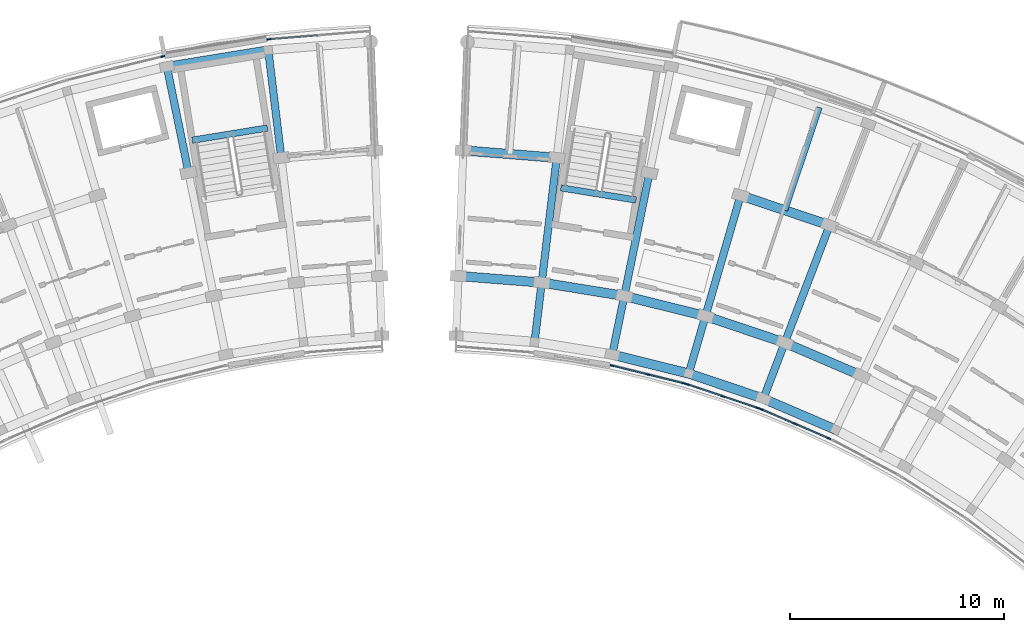
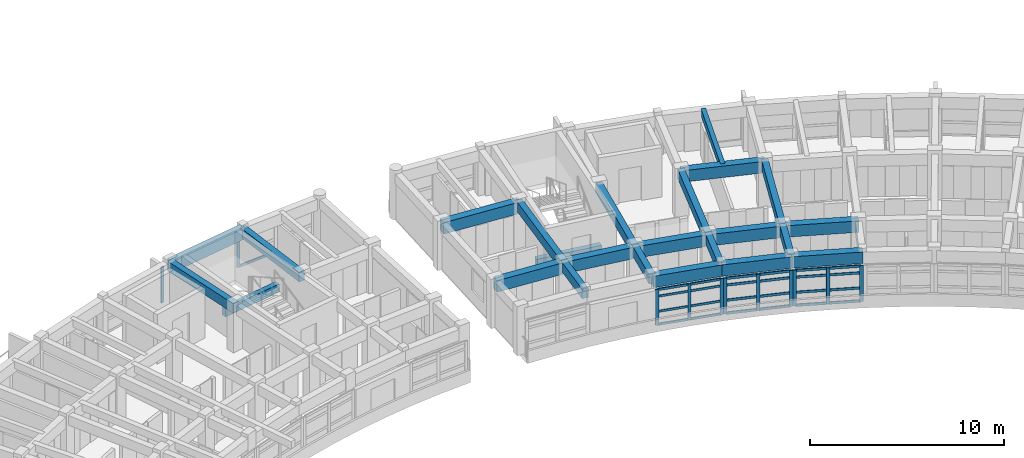
# One storey, part 12 of 50: 36 members, 24 beams, 5 elements without a shape of their own.
"""IFC4 building model written with IfcOpenShell, lengths in metres."""

from ifc_helpers import new_model, si_unit, direction, frame, origin, origin_2d, place, context, subcontext, project, spatial, rectangle, extrude, material, material_profile, profile_set, type_object, element, aggregate, save


model = new_model("IFC4")

# Units and contexts
model_context = context("Model", 3, precision=1e-05, world=origin(), true_north=direction((0.0, 1.0)))
body_context = subcontext(model_context, "Body", "Model", "MODEL_VIEW")
ifc_project = project(units=[si_unit("LENGTHUNIT", "METRE"), si_unit("AREAUNIT", "SQUARE_METRE"), si_unit("VOLUMEUNIT", "CUBIC_METRE"), si_unit("PLANEANGLEUNIT", "RADIAN"), si_unit("MASSUNIT", "GRAM", prefix="KILO")], contexts=[model_context])

# Site, building, storey
site_placement = place(None, origin())
site = spatial("IfcSite", under=ifc_project, at=site_placement, CompositionType="ELEMENT")
building_placement = place(site_placement, origin())
building = spatial("IfcBuilding", under=site, at=building_placement, Name="Zimvara Arc Housing Community", CompositionType="ELEMENT")
storey_placement = place(building_placement, frame((0.0, 0.0, 26.699951171875)))
storey = spatial("IfcBuildingStorey", under=building, at=storey_placement, Name="L08", CompositionType="ELEMENT", Elevation=26.699951171875)

# Beams
ifc_material_1 = material(Name="Concrete C40/50", Category="concrete")
ifc_material_profile_1 = material_profile(ifc_material_1, rectangle(XDim=0.25, YDim=0.449951171875, at=origin_2d()), Name="RC 250x450")
ifc_profile_set_1 = profile_set([ifc_material_profile_1], Name="Concrete C40/50")
beam_type_1 = type_object("IfcBeamType", Name="BM-RC-250x450", PredefinedType="JOIST", material=ifc_profile_set_1)
beam_1_placement = place(storey_placement, frame((62.1279296875, 95.453369140625, 2.655029296875), z_axis=(0.318607669836, 0.947886677152, 0.0), x_axis=(-0.947886677152, 0.318607669836, 0.0)))
element("IfcBeam", 1, at=beam_1_placement, inside=storey, type_object=beam_type_1, Name="bm:blkB:L08:joist:b3", PredefinedType="JOIST", context=body_context, shape_type="SweptSolid", body=[
    extrude(rectangle(XDim=0.25, YDim=0.449951171875, at=origin_2d()), origin(), (0.0, 0.0, 1.0), 5.07568359375),
])
ifc_material_2 = material(Name="Concrete C40/50", Category="concrete")
ifc_material_profile_2 = material_profile(ifc_material_2, rectangle(XDim=0.300048828125, YDim=0.5, at=origin_2d()), Name="RC 300x500")
ifc_profile_set_2 = profile_set([ifc_material_profile_2], Name="Concrete C40/50")
beam_type_2 = type_object("IfcBeamType", Name="BM-RC-300x500", PredefinedType="BEAM", material=ifc_profile_set_2)
for number, where, z_axis, x_axis, name in (
    (2, (37.911865234375, 99.307373046875, 1.300048828125), (-0.987080057935, -0.160227835371, 0.0), (0.160227835371, -0.987080057935, 0.0), "bm:stair_trim:ST-A2:L08:mid"),
    (3, (55.15771484375, 95.93701171875, -0.25), (-0.987080057935, 0.160227835371, 0.0), (-0.160227835371, -0.987080057935, 0.0), "bm:stair_trim:ST-B1:L08:near"),
):
    element("IfcBeam", number, at=place(storey_placement, frame(where, z_axis=z_axis, x_axis=x_axis)), inside=storey, type_object=beam_type_2, Name=name, PredefinedType="BEAM", context=body_context, shape_type="SweptSolid", body=[
        extrude(rectangle(XDim=0.300048828125, YDim=0.5, at=origin_2d()), origin(), (0.0, 0.0, 1.0), 3.570068359375),
    ])
ifc_material_3 = material(Name="Concrete C40/50", Category="concrete")
ifc_material_profile_3 = material_profile(ifc_material_3, rectangle(XDim=0.35009765625, YDim=0.60009765625, at=origin_2d()), Name="RC 350x600")
ifc_profile_set_3 = profile_set([ifc_material_profile_3], Name="Concrete C40/50")
beam_type_3 = type_object("IfcBeamType", Name="BM-RC-350x600", PredefinedType="BEAM", material=ifc_profile_set_3)
beam_2_placement = place(storey_placement, frame((34.21875, 97.208740234375, 2.580078125), z_axis=(-0.200411962389, 0.97971171542, 0.0), x_axis=(-0.97971171542, -0.200411962389, 0.0)))
element("IfcBeam", 4, at=beam_2_placement, inside=storey, type_object=beam_type_3, Name="bm:blkA:L08:rad:b8:r23", PredefinedType="BEAM", context=body_context, shape_type="SweptSolid", body=[
    extrude(rectangle(XDim=0.35009765625, YDim=0.60009765625, at=origin_2d()), origin(), (0.0, 0.0, 1.0), 5.079833984375),
])
beam_3_placement = place(storey_placement, frame((38.55517578125, 97.91259765625, 2.580078125), z_axis=(-0.119762990499, 0.99280251113, 0.0), x_axis=(-0.99280251113, -0.119762990499, 0.0)))
element("IfcBeam", 5, at=beam_3_placement, inside=storey, type_object=beam_type_3, Name="bm:blkA:L08:rad:b9:r23", PredefinedType="BEAM", context=body_context, shape_type="SweptSolid", body=[
    extrude(rectangle(XDim=0.35009765625, YDim=0.60009765625, at=origin_2d()), origin(), (0.0, 0.0, 1.0), 5.080078125),
])
beam_4_placement = place(storey_placement, frame((50.405029296875, 89.295166015625, 2.580078125), z_axis=(0.119719398078, 0.992807768767, 0.0), x_axis=(-0.992807768767, 0.119719398078, 0.0)))
element("IfcBeam", 6, at=beam_4_placement, inside=storey, type_object=beam_type_3, Name="bm:blkB:L08:rad:b1:r01", PredefinedType="BEAM", context=body_context, shape_type="SweptSolid", body=[
    extrude(rectangle(XDim=0.35009765625, YDim=0.60009765625, at=origin_2d()), origin(), (0.0, 0.0, 1.0), 2.7998046875),
])
beam_5_placement = place(storey_placement, frame((50.740234375, 92.074951171875, 2.580078125), z_axis=(0.119827921695, 0.992794676246, 0.0), x_axis=(-0.992794676246, 0.119827921695, 0.0)))
element("IfcBeam", 7, at=beam_5_placement, inside=storey, type_object=beam_type_3, Name="bm:blkB:L08:rad:b1:r12", PredefinedType="BEAM", context=body_context, shape_type="SweptSolid", body=[
    extrude(rectangle(XDim=0.35009765625, YDim=0.60009765625, at=origin_2d()), origin(), (0.0, 0.0, 1.0), 5.880126953125),
])
beam_6_placement = place(storey_placement, frame((54.041748046875, 88.704833984375, 2.580078125), z_axis=(0.20037341071, 0.979719600845, 0.0), x_axis=(-0.979719600845, 0.20037341071, 0.0)))
element("IfcBeam", 8, at=beam_6_placement, inside=storey, type_object=beam_type_3, Name="bm:blkB:L08:rad:b2:r01", PredefinedType="BEAM", context=body_context, shape_type="SweptSolid", body=[
    extrude(rectangle(XDim=0.35009765625, YDim=0.60009765625, at=origin_2d()), origin(), (0.0, 0.0, 1.0), 2.800048828125),
])
beam_7_placement = place(storey_placement, frame((54.602783203125, 91.447998046875, 2.580078125), z_axis=(0.200417973989, 0.979710485655, 0.0), x_axis=(-0.979710485655, 0.200417973989, 0.0)))
element("IfcBeam", 9, at=beam_7_placement, inside=storey, type_object=beam_type_3, Name="bm:blkB:L08:rad:b2:r12", PredefinedType="BEAM", context=body_context, shape_type="SweptSolid", body=[
    extrude(rectangle(XDim=0.35009765625, YDim=0.60009765625, at=origin_2d()), origin(), (0.0, 0.0, 1.0), 5.880126953125),
])
beam_8_placement = place(storey_placement, frame((57.618408203125, 87.819580078125, 2.580078125), z_axis=(0.279635015525, 0.960106378529, 0.0), x_axis=(-0.960106378529, 0.279635015525, 0.0)))
element("IfcBeam", 10, at=beam_8_placement, inside=storey, type_object=beam_type_3, Name="bm:blkB:L08:rad:b3:r01", PredefinedType="BEAM", context=body_context, shape_type="SweptSolid", body=[
    extrude(rectangle(XDim=0.35009765625, YDim=0.60009765625, at=origin_2d()), origin(), (0.0, 0.0, 1.0), 2.800048828125),
])
beam_9_placement = place(storey_placement, frame((58.4013671875, 90.5078125, 2.580078125), z_axis=(0.27967473749, 0.960094808449, 0.0), x_axis=(-0.960094808449, 0.27967473749, 0.0)))
element("IfcBeam", 11, at=beam_9_placement, inside=storey, type_object=beam_type_3, Name="bm:blkB:L08:rad:b3:r12", PredefinedType="BEAM", context=body_context, shape_type="SweptSolid", body=[
    extrude(rectangle(XDim=0.35009765625, YDim=0.60009765625, at=origin_2d()), origin(), (0.0, 0.0, 1.0), 5.880126953125),
])
beam_10_placement = place(storey_placement, frame((61.11083984375, 86.645751953125, 2.580078125), z_axis=(0.357079289134, 0.934074076972, 0.0), x_axis=(-0.934074076972, 0.357079289134, 0.0)))
element("IfcBeam", 12, at=beam_10_placement, inside=storey, type_object=beam_type_3, Name="bm:blkB:L08:rad:b4:r01", PredefinedType="BEAM", context=body_context, shape_type="SweptSolid", body=[
    extrude(rectangle(XDim=0.35009765625, YDim=0.60009765625, at=origin_2d()), origin(), (0.0, 0.0, 1.0), 2.7998046875),
])
beam_11_placement = place(storey_placement, frame((62.110595703125, 89.260986328125, 2.580078125), z_axis=(0.357036247742, 0.934090529766, 0.0), x_axis=(-0.934090529766, 0.357036247742, 0.0)))
element("IfcBeam", 13, at=beam_11_placement, inside=storey, type_object=beam_type_3, Name="bm:blkB:L08:rad:b4:r12", PredefinedType="BEAM", context=body_context, shape_type="SweptSolid", body=[
    extrude(rectangle(XDim=0.35009765625, YDim=0.60009765625, at=origin_2d()), origin(), (0.0, 0.0, 1.0), 5.8798828125),
])
ifc_material_4 = material(Name="Concrete C40/50", Category="concrete")
ifc_material_profile_4 = material_profile(ifc_material_4, rectangle(XDim=0.39990234375, YDim=0.699951171875, at=origin_2d()), Name="RC 400x700")
ifc_profile_set_4 = profile_set([ifc_material_profile_4], Name="Concrete C40/50")
beam_type_4 = type_object("IfcBeamType", Name="BM-RC-400x700", PredefinedType="BEAM", material=ifc_profile_set_4)
beam_12_placement = place(storey_placement, frame((33.20068359375, 102.185546875, 2.530029296875), z_axis=(0.987076839731, 0.160247659784, 0.0), x_axis=(-0.160247659784, 0.987076839731, 0.0)))
element("IfcBeam", 14, at=beam_12_placement, inside=storey, type_object=beam_type_4, Name="bm:blkA:L08:chord:r3:b8", PredefinedType="BEAM", context=body_context, shape_type="SweptSolid", body=[
    extrude(rectangle(XDim=0.39990234375, YDim=0.699951171875, at=origin_2d()), origin(), (0.0, 0.0, 1.0), 4.808349609375),
])
ifc_material_5 = material(Name="Concrete C40/50", Category="concrete")
ifc_material_profile_5 = material_profile(ifc_material_5, rectangle(XDim=0.43994140625, YDim=0.719970703125, at=origin_2d()), Name="RC 440x720")
ifc_profile_set_5 = profile_set([ifc_material_profile_5], Name="Concrete C40/50")
beam_type_5 = type_object("IfcBeamType", Name="BM-RC-440x720", PredefinedType="BEAM", material=ifc_profile_set_5)
beam_13_placement = place(storey_placement, frame((54.041748046875, 88.704833984375, 2.52001953125), z_axis=(0.970708886215, -0.240258731837, 0.0), x_axis=(0.240258731837, 0.970708886215, 0.0)))
element("IfcBeam", 15, at=beam_13_placement, inside=storey, type_object=beam_type_5, Name="bm:blkB:L08:chord:r0:b2", PredefinedType="BEAM", context=body_context, shape_type="SweptSolid", body=[
    extrude(rectangle(XDim=0.43994140625, YDim=0.719970703125, at=origin_2d()), origin(), (0.0, 0.0, 1.0), 3.6845703125),
])
for number, where, z_axis, x_axis, name in (
    (16, (57.618408203125, 87.819580078125, 2.52001953125), (0.94789181932, -0.31859237101, 0.0), (0.31859237101, 0.94789181932, 0.0), "bm:blkB:L08:chord:r0:b3"),
    (17, (61.11083984375, 86.645751953125, 2.52001953125), (0.918705736243, -0.394942742932, 0.0), (0.394942742932, 0.918705736243, 0.0), "bm:blkB:L08:chord:r0:b4"),
):
    element("IfcBeam", number, at=place(storey_placement, frame(where, z_axis=z_axis, x_axis=x_axis)), inside=storey, type_object=beam_type_5, Name=name, PredefinedType="BEAM", context=body_context, shape_type="SweptSolid", body=[
        extrude(rectangle(XDim=0.43994140625, YDim=0.719970703125, at=origin_2d()), origin(), (0.0, 0.0, 1.0), 3.684326171875),
    ])
beam_14_placement = place(storey_placement, frame((46.839599609375, 92.384765625, 2.52001953125), z_axis=(0.99686054795, -0.079177319606, 0.0), x_axis=(0.079177319606, 0.99686054795, 0.0)))
element("IfcBeam", 18, at=beam_14_placement, inside=storey, type_object=beam_type_5, Name="bm:blkB:L08:chord:r1:b0", PredefinedType="BEAM", context=body_context, shape_type="SweptSolid", body=[
    extrude(rectangle(XDim=0.43994140625, YDim=0.719970703125, at=origin_2d()), origin(), (0.0, 0.0, 1.0), 3.912841796875),
])
for number, where, z_axis, x_axis, name in (
    (19, (50.740234375, 92.074951171875, 2.52001953125), (0.987081487371, -0.160219029111, 0.0), (0.160219029111, 0.987081487371, 0.0), "bm:blkB:L08:chord:r1:b1"),
    (20, (54.602783203125, 91.447998046875, 2.52001953125), (0.970708671682, -0.240259598602, 0.0), (0.240259598602, 0.970708671682, 0.0), "bm:blkB:L08:chord:r1:b2"),
    (21, (58.4013671875, 90.5078125, 2.52001953125), (0.947881689069, -0.31862250945, 0.0), (0.31862250945, 0.947881689069, 0.0), "bm:blkB:L08:chord:r1:b3"),
    (22, (62.110595703125, 89.260986328125, 2.52001953125), (0.91873144242, -0.394882940514, 0.0), (0.394882940514, 0.91873144242, 0.0), "bm:blkB:L08:chord:r1:b4"),
):
    element("IfcBeam", number, at=place(storey_placement, frame(where, z_axis=z_axis, x_axis=x_axis)), inside=storey, type_object=beam_type_5, Name=name, PredefinedType="BEAM", context=body_context, shape_type="SweptSolid", body=[
        extrude(rectangle(XDim=0.43994140625, YDim=0.719970703125, at=origin_2d()), origin(), (0.0, 0.0, 1.0), 3.9130859375),
    ])
beam_15_placement = place(storey_placement, frame((47.065185546875, 98.26025390625, 2.52001953125), z_axis=(0.996864209836, -0.079131202119, 0.0), x_axis=(0.079131202119, 0.996864209836, 0.0)))
element("IfcBeam", 23, at=beam_15_placement, inside=storey, type_object=beam_type_5, Name="bm:blkB:L08:chord:r2:b0", PredefinedType="BEAM", context=body_context, shape_type="SweptSolid", body=[
    extrude(rectangle(XDim=0.43994140625, YDim=0.719970703125, at=origin_2d()), origin(), (0.0, 0.0, 1.0), 4.393310546875),
])
beam_16_placement = place(storey_placement, frame((60.0458984375, 96.1533203125, 2.52001953125), z_axis=(0.947868796036, -0.318660862832, 0.0), x_axis=(0.318660862832, 0.947868796036, 0.0)))
element("IfcBeam", 24, at=beam_16_placement, inside=storey, type_object=beam_type_5, Name="bm:blkB:L08:chord:r2:b3", PredefinedType="BEAM", context=body_context, shape_type="SweptSolid", body=[
    extrude(rectangle(XDim=0.43994140625, YDim=0.719970703125, at=origin_2d()), origin(), (0.0, 0.0, 1.0), 4.39306640625),
])

# Curtain wall, members
ifc_material_6 = material(Name="Anodised Aluminium AW-6063", Category="aluminium")
curtain_wall_type_1 = type_object("IfcCurtainWallType", Name="CW-SYS-08", PredefinedType="USERDEFINED", material=ifc_material_6)
curtain_wall_1_placement = place(storey_placement, origin())
curtain_wall_1 = element("IfcCurtainWall", 25, at=curtain_wall_1_placement, inside=storey, type_object=curtain_wall_type_1, Name="cw:blkB:L08:in:b2", ObjectType="CURTAIN WALL", PredefinedType="USERDEFINED")
ifc_material_7 = material(Name="Anodised Aluminium AW-6063", Category="aluminium")
ifc_material_profile_6 = material_profile(ifc_material_7, rectangle(XDim=0.06494140625, YDim=0.179931640625, at=origin_2d()), Name="ALU 65x180")
ifc_profile_set_6 = profile_set([ifc_material_profile_6], Name="Anodised Aluminium AW-6063")
member_type_1 = type_object("IfcMemberType", Name="CWM-65x150", PredefinedType="MULLION", material=ifc_profile_set_6)
member_1_placement = place(storey_placement, frame((54.03125, 88.192626953125, 0.0), z_axis=(0.0, 0.0, 1.0), x_axis=(0.240227815706, 0.970716537698, 0.0)))
member_1 = element("IfcMember", 26, at=member_1_placement, type_object=member_type_1, Name="CW08 mullion 1", PredefinedType="MULLION", context=body_context, shape_type="SweptSolid", body=[
    extrude(rectangle(XDim=0.06494140625, YDim=0.179931640625, at=origin_2d()), origin(), (0.0, 0.0, 1.0), 2.25),
])
member_2_placement = place(storey_placement, frame((55.7099609375, 87.77734375, 0.0), z_axis=(0.0, 0.0, 1.0), x_axis=(0.240227815706, 0.970716537698, 0.0)))
member_2 = element("IfcMember", 27, at=member_2_placement, type_object=member_type_1, Name="CW08 mullion 2", PredefinedType="MULLION", context=body_context, shape_type="SweptSolid", body=[
    extrude(rectangle(XDim=0.06494140625, YDim=0.179931640625, at=origin_2d()), origin(), (0.0, 0.0, 1.0), 2.25),
])
member_3_placement = place(storey_placement, frame((57.388671875, 87.36181640625, 0.0), z_axis=(0.0, 0.0, 1.0), x_axis=(0.240227815706, 0.970716537698, 0.0)))
member_3 = element("IfcMember", 28, at=member_3_placement, type_object=member_type_1, Name="CW08 mullion 3", PredefinedType="MULLION", context=body_context, shape_type="SweptSolid", body=[
    extrude(rectangle(XDim=0.06494140625, YDim=0.179931640625, at=origin_2d()), origin(), (0.0, 0.0, 1.0), 2.25),
])

# Curtain wall, member
ifc_material_8 = material(Name="Anodised Aluminium AW-6063", Category="aluminium")
curtain_wall_type_2 = type_object("IfcCurtainWallType", Name="CW-SYS-07", PredefinedType="USERDEFINED", material=ifc_material_8)
curtain_wall_2_placement = place(storey_placement, origin())
curtain_wall_2 = element("IfcCurtainWall", 29, at=curtain_wall_2_placement, inside=storey, type_object=curtain_wall_type_2, Name="cw:blkA:L08:out:b7", ObjectType="CURTAIN WALL", PredefinedType="USERDEFINED")
ifc_material_9 = material(Name="Anodised Aluminium AW-6063", Category="aluminium")
ifc_material_profile_7 = material_profile(ifc_material_9, rectangle(XDim=0.06494140625, YDim=0.195068359375, at=origin_2d()), Name="ALU 65x195")
ifc_profile_set_7 = profile_set([ifc_material_profile_7], Name="Anodised Aluminium AW-6063")
member_type_2 = type_object("IfcMemberType", Name="CWM-65x180", PredefinedType="MULLION", material=ifc_profile_set_7)
member_4_placement = place(storey_placement, frame((33.0107421875, 102.6533203125, 0.0), z_axis=(0.0, 0.0, 1.0), x_axis=(-0.240229711131, 0.970716068627, 0.0)))
member_4 = element("IfcMember", 30, at=member_4_placement, type_object=member_type_2, Name="CW07 mullion 3", PredefinedType="MULLION", context=body_context, shape_type="SweptSolid", body=[
    extrude(rectangle(XDim=0.06494140625, YDim=0.195068359375, at=origin_2d()), origin(), (0.0, 0.0, 1.0), 2.25),
])
aggregate(curtain_wall_2, [member_4])

ifc_material_10 = material(Name="Anodised Aluminium AW-6063", Category="aluminium")
curtain_wall_type_3 = type_object("IfcCurtainWallType", Name="CW-SYS-01", PredefinedType="USERDEFINED", material=ifc_material_10)
curtain_wall_3_placement = place(storey_placement, origin())
curtain_wall_3 = element("IfcCurtainWall", 31, at=curtain_wall_3_placement, inside=storey, type_object=curtain_wall_type_3, Name="cw:blkA:L08:out:b9", ObjectType="CURTAIN WALL", PredefinedType="USERDEFINED")
member_5_placement = place(storey_placement, frame((37.97900390625, 103.459716796875, 0.0), z_axis=(0.0, 0.0, 1.0), x_axis=(-0.079153759607, 0.996862418963, 0.0)))
member_5 = element("IfcMember", 32, at=member_5_placement, type_object=member_type_2, Name="CW01 mullion 1", PredefinedType="MULLION", context=body_context, shape_type="SweptSolid", body=[
    extrude(rectangle(XDim=0.06494140625, YDim=0.195068359375, at=origin_2d()), origin(), (0.0, 0.0, 1.0), 2.25),
])

# Curtain wall, members
curtain_wall_4_placement = place(storey_placement, origin())
curtain_wall_4 = element("IfcCurtainWall", 33, at=curtain_wall_4_placement, inside=storey, type_object=curtain_wall_type_3, Name="cw:blkB:L08:in:b3", ObjectType="CURTAIN WALL", PredefinedType="USERDEFINED")
member_6_placement = place(storey_placement, frame((57.566162109375, 87.31005859375, 0.0), z_axis=(0.0, 0.0, 1.0), x_axis=(0.318630249383, 0.94787908732, 0.0)))
member_6 = element("IfcMember", 34, at=member_6_placement, type_object=member_type_2, Name="CW01 mullion 1", PredefinedType="MULLION", context=body_context, shape_type="SweptSolid", body=[
    extrude(rectangle(XDim=0.06494140625, YDim=0.195068359375, at=origin_2d()), origin(), (0.0, 0.0, 1.0), 2.25),
])
member_7_placement = place(storey_placement, frame((59.205322265625, 86.759033203125, 0.0), z_axis=(0.0, 0.0, 1.0), x_axis=(0.318630249383, 0.94787908732, 0.0)))
member_7 = element("IfcMember", 35, at=member_7_placement, type_object=member_type_2, Name="CW01 mullion 2", PredefinedType="MULLION", context=body_context, shape_type="SweptSolid", body=[
    extrude(rectangle(XDim=0.06494140625, YDim=0.195068359375, at=origin_2d()), origin(), (0.0, 0.0, 1.0), 2.25),
])
member_8_placement = place(storey_placement, frame((60.844482421875, 86.2080078125, 0.0), z_axis=(0.0, 0.0, 1.0), x_axis=(0.318630249383, 0.94787908732, 0.0)))
member_8 = element("IfcMember", 36, at=member_8_placement, type_object=member_type_2, Name="CW01 mullion 3", PredefinedType="MULLION", context=body_context, shape_type="SweptSolid", body=[
    extrude(rectangle(XDim=0.06494140625, YDim=0.195068359375, at=origin_2d()), origin(), (0.0, 0.0, 1.0), 2.25),
])

ifc_material_11 = material(Name="Anodised Aluminium AW-6063", Category="aluminium")
curtain_wall_type_4 = type_object("IfcCurtainWallType", Name="CW-SYS-03", PredefinedType="USERDEFINED", material=ifc_material_11)
curtain_wall_5_placement = place(storey_placement, origin())
curtain_wall_5 = element("IfcCurtainWall", 37, at=curtain_wall_5_placement, inside=storey, type_object=curtain_wall_type_4, Name="cw:blkB:L08:in:b4", ObjectType="CURTAIN WALL", PredefinedType="USERDEFINED")
member_9_placement = place(storey_placement, frame((61.01708984375, 86.14208984375, 0.0), z_axis=(0.0, 0.0, 1.0), x_axis=(0.394904493375, 0.918722178415, 0.0)))
member_9 = element("IfcMember", 38, at=member_9_placement, type_object=member_type_2, Name="CW03 mullion 1", PredefinedType="MULLION", context=body_context, shape_type="SweptSolid", body=[
    extrude(rectangle(XDim=0.06494140625, YDim=0.195068359375, at=origin_2d()), origin(), (0.0, 0.0, 1.0), 2.25),
])
member_10_placement = place(storey_placement, frame((62.60595703125, 85.459228515625, 0.0), z_axis=(0.0, 0.0, 1.0), x_axis=(0.394904493375, 0.918722178415, 0.0)))
member_10 = element("IfcMember", 39, at=member_10_placement, type_object=member_type_2, Name="CW03 mullion 2", PredefinedType="MULLION", context=body_context, shape_type="SweptSolid", body=[
    extrude(rectangle(XDim=0.06494140625, YDim=0.195068359375, at=origin_2d()), origin(), (0.0, 0.0, 1.0), 2.25),
])
member_11_placement = place(storey_placement, frame((64.194580078125, 84.7763671875, 0.0), z_axis=(0.0, 0.0, 1.0), x_axis=(0.394904493375, 0.918722178415, 0.0)))
member_11 = element("IfcMember", 40, at=member_11_placement, type_object=member_type_2, Name="CW03 mullion 3", PredefinedType="MULLION", context=body_context, shape_type="SweptSolid", body=[
    extrude(rectangle(XDim=0.06494140625, YDim=0.195068359375, at=origin_2d()), origin(), (0.0, 0.0, 1.0), 2.25),
])

# Member
ifc_material_12 = material(Name="Anodised Aluminium AW-6063", Category="aluminium")
ifc_material_profile_8 = material_profile(ifc_material_12, rectangle(XDim=0.06494140625, YDim=0.139892578125, at=origin_2d()), Name="ALU 65x140")
ifc_profile_set_8 = profile_set([ifc_material_profile_8], Name="Anodised Aluminium AW-6063")
member_type_3 = type_object("IfcMemberType", Name="CWT-65x120", PredefinedType="USERDEFINED", material=ifc_profile_set_8)
member_12_placement = place(storey_placement, frame((54.06298828125, 88.184814453125, 0.032470703125), z_axis=(0.970735018799, -0.240153124645, 0.0), x_axis=(0.240153124645, 0.970735018799, 0.0)))
member_12 = element("IfcMember", 41, at=member_12_placement, type_object=member_type_3, Name="CW08 transom 1.1", ObjectType="TRANSOM", PredefinedType="USERDEFINED", context=body_context, shape_type="SweptSolid", body=[
    extrude(rectangle(XDim=0.06494140625, YDim=0.139892578125, at=origin_2d()), origin(), (0.0, 0.0, 1.0), 1.6640625),
])

member_13_placement = place(storey_placement, frame((54.06298828125, 88.184814453125, 0.85009765625), z_axis=(0.970735018799, -0.240153124645, 0.0), x_axis=(0.240153124645, 0.970735018799, 0.0)))
member_13 = element("IfcMember", 42, at=member_13_placement, type_object=member_type_3, Name="CW08 transom 1.2", ObjectType="TRANSOM", PredefinedType="USERDEFINED", context=body_context, shape_type="SweptSolid", body=[
    extrude(rectangle(XDim=0.06494140625, YDim=0.139892578125, at=origin_2d()), origin(), (0.0, 0.0, 1.0), 1.6640625),
])

member_14_placement = place(storey_placement, frame((54.06298828125, 88.184814453125, 1.800048828125), z_axis=(0.970735018799, -0.240153124645, 0.0), x_axis=(0.240153124645, 0.970735018799, 0.0)))
member_14 = element("IfcMember", 43, at=member_14_placement, type_object=member_type_3, Name="CW08 transom 1.3", ObjectType="TRANSOM", PredefinedType="USERDEFINED", context=body_context, shape_type="SweptSolid", body=[
    extrude(rectangle(XDim=0.06494140625, YDim=0.139892578125, at=origin_2d()), origin(), (0.0, 0.0, 1.0), 1.6640625),
])

member_15_placement = place(storey_placement, frame((54.06298828125, 88.184814453125, 2.217529296875), z_axis=(0.970735018799, -0.240153124645, 0.0), x_axis=(0.240153124645, 0.970735018799, 0.0)))
member_15 = element("IfcMember", 44, at=member_15_placement, type_object=member_type_3, Name="CW08 transom 1.4", ObjectType="TRANSOM", PredefinedType="USERDEFINED", context=body_context, shape_type="SweptSolid", body=[
    extrude(rectangle(XDim=0.06494140625, YDim=0.139892578125, at=origin_2d()), origin(), (0.0, 0.0, 1.0), 1.6640625),
])

member_16_placement = place(storey_placement, frame((55.74169921875, 87.76953125, 0.032470703125), z_axis=(0.970700809973, -0.24029135964, 0.0), x_axis=(0.24029135964, 0.970700809973, 0.0)))
member_16 = element("IfcMember", 45, at=member_16_placement, type_object=member_type_3, Name="CW08 transom 2.1", ObjectType="TRANSOM", PredefinedType="USERDEFINED", context=body_context, shape_type="SweptSolid", body=[
    extrude(rectangle(XDim=0.06494140625, YDim=0.139892578125, at=origin_2d()), origin(), (0.0, 0.0, 1.0), 1.664306640625),
])

member_17_placement = place(storey_placement, frame((55.74169921875, 87.76953125, 0.85009765625), z_axis=(0.970700809973, -0.24029135964, 0.0), x_axis=(0.24029135964, 0.970700809973, 0.0)))
member_17 = element("IfcMember", 46, at=member_17_placement, type_object=member_type_3, Name="CW08 transom 2.2", ObjectType="TRANSOM", PredefinedType="USERDEFINED", context=body_context, shape_type="SweptSolid", body=[
    extrude(rectangle(XDim=0.06494140625, YDim=0.139892578125, at=origin_2d()), origin(), (0.0, 0.0, 1.0), 1.664306640625),
])

member_18_placement = place(storey_placement, frame((55.74169921875, 87.76953125, 1.800048828125), z_axis=(0.970700809973, -0.24029135964, 0.0), x_axis=(0.24029135964, 0.970700809973, 0.0)))
member_18 = element("IfcMember", 47, at=member_18_placement, type_object=member_type_3, Name="CW08 transom 2.3", ObjectType="TRANSOM", PredefinedType="USERDEFINED", context=body_context, shape_type="SweptSolid", body=[
    extrude(rectangle(XDim=0.06494140625, YDim=0.139892578125, at=origin_2d()), origin(), (0.0, 0.0, 1.0), 1.664306640625),
])

member_19_placement = place(storey_placement, frame((55.74169921875, 87.76953125, 2.217529296875), z_axis=(0.970700809973, -0.24029135964, 0.0), x_axis=(0.24029135964, 0.970700809973, 0.0)))
member_19 = element("IfcMember", 48, at=member_19_placement, type_object=member_type_3, Name="CW08 transom 2.4", ObjectType="TRANSOM", PredefinedType="USERDEFINED", context=body_context, shape_type="SweptSolid", body=[
    extrude(rectangle(XDim=0.06494140625, YDim=0.139892578125, at=origin_2d()), origin(), (0.0, 0.0, 1.0), 1.664306640625),
])

aggregate(curtain_wall_1, [member_1, member_2, member_3, member_12, member_13, member_14, member_15, member_16, member_17, member_18, member_19])

ifc_material_13 = material(Name="Anodised Aluminium AW-6063", Category="aluminium")
ifc_material_profile_9 = material_profile(ifc_material_13, rectangle(XDim=0.06494140625, YDim=0.155029296875, at=origin_2d()), Name="ALU 65x155")
ifc_profile_set_9 = profile_set([ifc_material_profile_9], Name="Anodised Aluminium AW-6063")
member_type_4 = type_object("IfcMemberType", Name="CWT-65x140", PredefinedType="USERDEFINED", material=ifc_profile_set_9)
member_20_placement = place(storey_placement, frame((38.011474609375, 103.46240234375, 0.032470703125), z_axis=(0.996862021022, 0.079158771116, 0.0), x_axis=(-0.079158771116, 0.996862021022, 0.0)))
member_20 = element("IfcMember", 49, at=member_20_placement, type_object=member_type_4, Name="CW01 transom 1.1", ObjectType="TRANSOM", PredefinedType="USERDEFINED", context=body_context, shape_type="SweptSolid", body=[
    extrude(rectangle(XDim=0.06494140625, YDim=0.155029296875, at=origin_2d()), origin(), (0.0, 0.0, 1.0), 2.266845703125),
])

aggregate(curtain_wall_3, [member_5, member_20])

member_21_placement = place(storey_placement, frame((57.596923828125, 87.2998046875, 0.032470703125), z_axis=(0.947888214723, -0.318603095385, 0.0), x_axis=(0.318603095385, 0.947888214723, 0.0)))
member_21 = element("IfcMember", 50, at=member_21_placement, type_object=member_type_4, Name="CW01 transom 1.1", ObjectType="TRANSOM", PredefinedType="USERDEFINED", context=body_context, shape_type="SweptSolid", body=[
    extrude(rectangle(XDim=0.06494140625, YDim=0.155029296875, at=origin_2d()), origin(), (0.0, 0.0, 1.0), 1.664306640625),
])

member_22_placement = place(storey_placement, frame((57.596923828125, 87.2998046875, 0.85009765625), z_axis=(0.947888214723, -0.318603095385, 0.0), x_axis=(0.318603095385, 0.947888214723, 0.0)))
member_22 = element("IfcMember", 51, at=member_22_placement, type_object=member_type_4, Name="CW01 transom 1.2", ObjectType="TRANSOM", PredefinedType="USERDEFINED", context=body_context, shape_type="SweptSolid", body=[
    extrude(rectangle(XDim=0.06494140625, YDim=0.155029296875, at=origin_2d()), origin(), (0.0, 0.0, 1.0), 1.664306640625),
])

member_23_placement = place(storey_placement, frame((57.596923828125, 87.2998046875, 1.800048828125), z_axis=(0.947888214723, -0.318603095385, 0.0), x_axis=(0.318603095385, 0.947888214723, 0.0)))
member_23 = element("IfcMember", 52, at=member_23_placement, type_object=member_type_4, Name="CW01 transom 1.3", ObjectType="TRANSOM", PredefinedType="USERDEFINED", context=body_context, shape_type="SweptSolid", body=[
    extrude(rectangle(XDim=0.06494140625, YDim=0.155029296875, at=origin_2d()), origin(), (0.0, 0.0, 1.0), 1.664306640625),
])

member_24_placement = place(storey_placement, frame((57.596923828125, 87.2998046875, 2.217529296875), z_axis=(0.947888214723, -0.318603095385, 0.0), x_axis=(0.318603095385, 0.947888214723, 0.0)))
member_24 = element("IfcMember", 53, at=member_24_placement, type_object=member_type_4, Name="CW01 transom 1.4", ObjectType="TRANSOM", PredefinedType="USERDEFINED", context=body_context, shape_type="SweptSolid", body=[
    extrude(rectangle(XDim=0.06494140625, YDim=0.155029296875, at=origin_2d()), origin(), (0.0, 0.0, 1.0), 1.664306640625),
])

member_25_placement = place(storey_placement, frame((59.236083984375, 86.748779296875, 0.032470703125), z_axis=(0.947888214723, -0.318603095385, 0.0), x_axis=(0.318603095385, 0.947888214723, 0.0)))
member_25 = element("IfcMember", 54, at=member_25_placement, type_object=member_type_4, Name="CW01 transom 2.1", ObjectType="TRANSOM", PredefinedType="USERDEFINED", context=body_context, shape_type="SweptSolid", body=[
    extrude(rectangle(XDim=0.06494140625, YDim=0.155029296875, at=origin_2d()), origin(), (0.0, 0.0, 1.0), 1.664306640625),
])

member_26_placement = place(storey_placement, frame((59.236083984375, 86.748779296875, 0.85009765625), z_axis=(0.947888214723, -0.318603095385, 0.0), x_axis=(0.318603095385, 0.947888214723, 0.0)))
member_26 = element("IfcMember", 55, at=member_26_placement, type_object=member_type_4, Name="CW01 transom 2.2", ObjectType="TRANSOM", PredefinedType="USERDEFINED", context=body_context, shape_type="SweptSolid", body=[
    extrude(rectangle(XDim=0.06494140625, YDim=0.155029296875, at=origin_2d()), origin(), (0.0, 0.0, 1.0), 1.664306640625),
])

member_27_placement = place(storey_placement, frame((59.236083984375, 86.748779296875, 1.800048828125), z_axis=(0.947888214723, -0.318603095385, 0.0), x_axis=(0.318603095385, 0.947888214723, 0.0)))
member_27 = element("IfcMember", 56, at=member_27_placement, type_object=member_type_4, Name="CW01 transom 2.3", ObjectType="TRANSOM", PredefinedType="USERDEFINED", context=body_context, shape_type="SweptSolid", body=[
    extrude(rectangle(XDim=0.06494140625, YDim=0.155029296875, at=origin_2d()), origin(), (0.0, 0.0, 1.0), 1.664306640625),
])

member_28_placement = place(storey_placement, frame((59.236083984375, 86.748779296875, 2.217529296875), z_axis=(0.947888214723, -0.318603095385, 0.0), x_axis=(0.318603095385, 0.947888214723, 0.0)))
member_28 = element("IfcMember", 57, at=member_28_placement, type_object=member_type_4, Name="CW01 transom 2.4", ObjectType="TRANSOM", PredefinedType="USERDEFINED", context=body_context, shape_type="SweptSolid", body=[
    extrude(rectangle(XDim=0.06494140625, YDim=0.155029296875, at=origin_2d()), origin(), (0.0, 0.0, 1.0), 1.664306640625),
])

aggregate(curtain_wall_4, [member_6, member_7, member_8, member_21, member_22, member_23, member_24, member_25, member_26, member_27, member_28])

member_29_placement = place(storey_placement, frame((61.047119140625, 86.12939453125, 0.032470703125), z_axis=(0.918673978315, -0.395016609229, 0.0), x_axis=(0.395016609229, 0.918673978315, 0.0)))
member_29 = element("IfcMember", 58, at=member_29_placement, type_object=member_type_4, Name="CW03 transom 1.1", ObjectType="TRANSOM", PredefinedType="USERDEFINED", context=body_context, shape_type="SweptSolid", body=[
    extrude(rectangle(XDim=0.06494140625, YDim=0.155029296875, at=origin_2d()), origin(), (0.0, 0.0, 1.0), 1.664306640625),
])

member_30_placement = place(storey_placement, frame((61.047119140625, 86.12939453125, 0.85009765625), z_axis=(0.918673978315, -0.395016609229, 0.0), x_axis=(0.395016609229, 0.918673978315, 0.0)))
member_30 = element("IfcMember", 59, at=member_30_placement, type_object=member_type_4, Name="CW03 transom 1.2", ObjectType="TRANSOM", PredefinedType="USERDEFINED", context=body_context, shape_type="SweptSolid", body=[
    extrude(rectangle(XDim=0.06494140625, YDim=0.155029296875, at=origin_2d()), origin(), (0.0, 0.0, 1.0), 1.664306640625),
])

member_31_placement = place(storey_placement, frame((61.047119140625, 86.12939453125, 1.800048828125), z_axis=(0.918673978315, -0.395016609229, 0.0), x_axis=(0.395016609229, 0.918673978315, 0.0)))
member_31 = element("IfcMember", 60, at=member_31_placement, type_object=member_type_4, Name="CW03 transom 1.3", ObjectType="TRANSOM", PredefinedType="USERDEFINED", context=body_context, shape_type="SweptSolid", body=[
    extrude(rectangle(XDim=0.06494140625, YDim=0.155029296875, at=origin_2d()), origin(), (0.0, 0.0, 1.0), 1.664306640625),
])

member_32_placement = place(storey_placement, frame((61.047119140625, 86.12939453125, 2.217529296875), z_axis=(0.918673978315, -0.395016609229, 0.0), x_axis=(0.395016609229, 0.918673978315, 0.0)))
member_32 = element("IfcMember", 61, at=member_32_placement, type_object=member_type_4, Name="CW03 transom 1.4", ObjectType="TRANSOM", PredefinedType="USERDEFINED", context=body_context, shape_type="SweptSolid", body=[
    extrude(rectangle(XDim=0.06494140625, YDim=0.155029296875, at=origin_2d()), origin(), (0.0, 0.0, 1.0), 1.664306640625),
])

member_33_placement = place(storey_placement, frame((62.6357421875, 85.4462890625, 0.032470703125), z_axis=(0.918727202972, -0.394892803832, 0.0), x_axis=(0.394892803832, 0.918727202972, 0.0)))
member_33 = element("IfcMember", 62, at=member_33_placement, type_object=member_type_4, Name="CW03 transom 2.1", ObjectType="TRANSOM", PredefinedType="USERDEFINED", context=body_context, shape_type="SweptSolid", body=[
    extrude(rectangle(XDim=0.06494140625, YDim=0.155029296875, at=origin_2d()), origin(), (0.0, 0.0, 1.0), 1.664306640625),
])

member_34_placement = place(storey_placement, frame((62.6357421875, 85.4462890625, 0.85009765625), z_axis=(0.918727202972, -0.394892803832, 0.0), x_axis=(0.394892803832, 0.918727202972, 0.0)))
member_34 = element("IfcMember", 63, at=member_34_placement, type_object=member_type_4, Name="CW03 transom 2.2", ObjectType="TRANSOM", PredefinedType="USERDEFINED", context=body_context, shape_type="SweptSolid", body=[
    extrude(rectangle(XDim=0.06494140625, YDim=0.155029296875, at=origin_2d()), origin(), (0.0, 0.0, 1.0), 1.664306640625),
])

member_35_placement = place(storey_placement, frame((62.6357421875, 85.4462890625, 1.800048828125), z_axis=(0.918727202972, -0.394892803832, 0.0), x_axis=(0.394892803832, 0.918727202972, 0.0)))
member_35 = element("IfcMember", 64, at=member_35_placement, type_object=member_type_4, Name="CW03 transom 2.3", ObjectType="TRANSOM", PredefinedType="USERDEFINED", context=body_context, shape_type="SweptSolid", body=[
    extrude(rectangle(XDim=0.06494140625, YDim=0.155029296875, at=origin_2d()), origin(), (0.0, 0.0, 1.0), 1.664306640625),
])

member_36_placement = place(storey_placement, frame((62.6357421875, 85.4462890625, 2.217529296875), z_axis=(0.918727202972, -0.394892803832, 0.0), x_axis=(0.394892803832, 0.918727202972, 0.0)))
member_36 = element("IfcMember", 65, at=member_36_placement, type_object=member_type_4, Name="CW03 transom 2.4", ObjectType="TRANSOM", PredefinedType="USERDEFINED", context=body_context, shape_type="SweptSolid", body=[
    extrude(rectangle(XDim=0.06494140625, YDim=0.155029296875, at=origin_2d()), origin(), (0.0, 0.0, 1.0), 1.664306640625),
])

aggregate(curtain_wall_5, [member_9, member_10, member_11, member_29, member_30, member_31, member_32, member_33, member_34, member_35, member_36])

save(model, "model.ifc")
